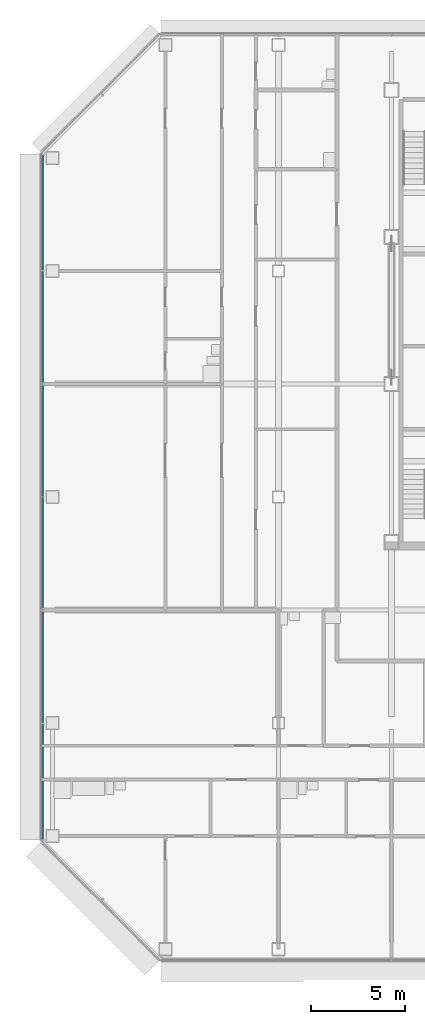
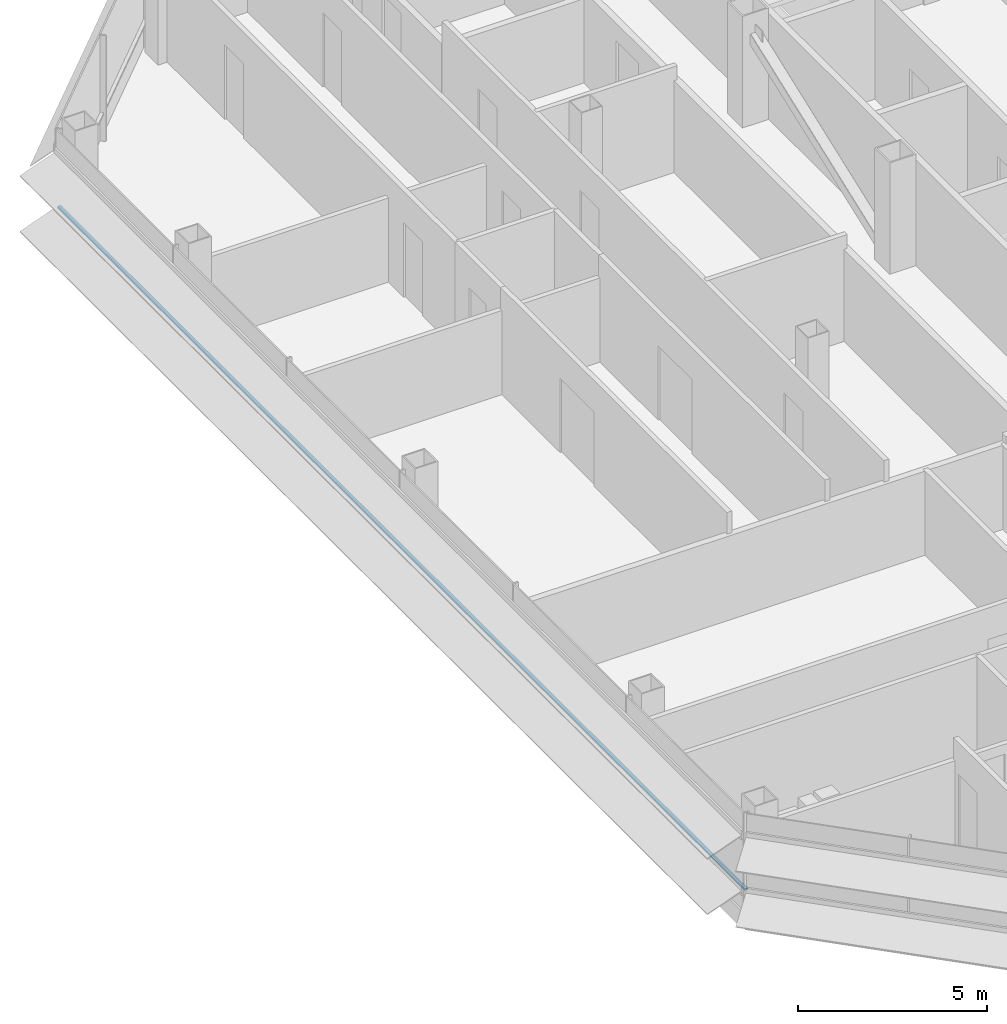
# One storey, part 5 of 27: 1 member, 1 element without a shape of its own.
"""IFC4 building model written with IfcOpenShell, lengths in metres."""

import ifcopenshell
import ifcopenshell.guid

model = None  # the IFC model being written
_history = None  # IfcOwnerHistory: only IFC2X3 demands one
_inside = {}  # id of a spatial element -> (the spatial element, [elements in it])
_under = {}  # id of a project, library or spatial element -> (it, [spatial elements below it])
_declared = {}  # id of a project -> (the project, [libraries it declares])
_typed = {}  # id of a type object -> (the type object, [elements of that type])
_made_of = {}  # id of a material, layer set ... -> (it, [elements and type objects made of it])


def new_model(schema):
    """Start an empty IFC model of exactly this schema.

    Asked for "IFC4X3", IfcOpenShell would pick the latest addendum, in which some entities
    have other attributes; the version numbers below select the first issue.
    IFC2X3 requires an IfcOwnerHistory on every rooted entity: one is made here for all.
    """
    global model, _history
    if schema == "IFC4X3":
        model = ifcopenshell.file(schema_version=(4, 3, 0, 0))
    else:
        model = ifcopenshell.file(schema=schema)
    _inside.clear()
    _under.clear()
    _declared.clear()
    _typed.clear()
    _made_of.clear()
    _history = None
    if model.schema == "IFC2X3":
        org = make("IfcOrganization", Name="unknown")
        user = make(
            "IfcPersonAndOrganization",
            ThePerson=make("IfcPerson", FamilyName="unknown"),
            TheOrganization=org,
        )
        app = make(
            "IfcApplication",
            ApplicationDeveloper=org,
            Version="unknown",
            ApplicationFullName="unknown",
            ApplicationIdentifier="unknown",
        )
        _history = make(
            "IfcOwnerHistory",
            OwningUser=user,
            OwningApplication=app,
            ChangeAction="ADDED",
            CreationDate=0,
        )
    return model


def make(cls, **values):
    """One entity of the class cls with the attributes given. An attribute that is None is left unset."""
    return model.create_entity(
        cls, **{name: value for name, value in values.items() if value is not None}
    )


def rooted(cls, **values):
    """An entity with a GlobalId (a new one), such as an element, a storey or a relation."""
    return make(cls, GlobalId=ifcopenshell.guid.new(), OwnerHistory=_history, **values)


def si_unit(unit_type, name, prefix=None):
    """IfcSIUnit, for example si_unit("LENGTHUNIT", "METRE", prefix="MILLI")."""
    return make("IfcSIUnit", UnitType=unit_type, Prefix=prefix, Name=name)


def assignment(units):
    """IfcUnitAssignment: the units of a project."""
    return None if units is None else make("IfcUnitAssignment", Units=units)


def point(xyz):
    """IfcCartesianPoint."""
    return None if xyz is None else make("IfcCartesianPoint", Coordinates=xyz)


def direction(xyz):
    """IfcDirection."""
    return None if xyz is None else make("IfcDirection", DirectionRatios=xyz)


def frame(location, z_axis=None, x_axis=None):
    """IfcAxis2Placement3D, a coordinate frame: its origin and axes. An axis left out is left unset."""
    return make(
        "IfcAxis2Placement3D",
        Location=point(location),
        Axis=direction(z_axis),
        RefDirection=direction(x_axis),
    )


def frame_2d(location, x_axis=None):
    """IfcAxis2Placement2D, a coordinate frame in the plane: its origin and x axis."""
    return make(
        "IfcAxis2Placement2D", Location=point(location), RefDirection=direction(x_axis)
    )


def origin():
    """The frame at (0, 0, 0) with its axes left unset."""
    return frame((0.0, 0.0, 0.0))


def origin_2d():
    """The frame at (0, 0) in the plane with its x axis left unset."""
    return frame_2d((0.0, 0.0))


def place(relative_to, where):
    """IfcLocalPlacement: puts the frame where relative to a parent placement (None: the world)."""
    return make(
        "IfcLocalPlacement", PlacementRelTo=relative_to, RelativePlacement=where
    )


def context(
    kind, dimensions, precision=None, world=None, true_north=None, identifier=None
):
    """IfcGeometricRepresentationContext, for example the 3D "Model" context."""
    return make(
        "IfcGeometricRepresentationContext",
        ContextIdentifier=identifier,
        ContextType=kind,
        CoordinateSpaceDimension=dimensions,
        Precision=precision,
        WorldCoordinateSystem=world,
        TrueNorth=true_north,
    )


def subcontext(parent, identifier, kind, view, scale=None):
    """IfcGeometricRepresentationSubContext, for example "Body" below "Model"."""
    return make(
        "IfcGeometricRepresentationSubContext",
        ContextIdentifier=identifier,
        ContextType=kind,
        ParentContext=parent,
        TargetScale=scale,
        TargetView=view,
    )


def project(units=None, contexts=None):
    """IfcProject with its units and contexts."""
    return rooted(
        "IfcProject",
        Name="project",
        RepresentationContexts=contexts,
        UnitsInContext=assignment(units),
    )


def spatial(cls, under=None, at=None, **own):
    """A site, building, storey or space (cls), placed at a placement, below another one or the project."""
    s = rooted(cls, ObjectPlacement=at, **own)
    if under is not None:
        _under.setdefault(under.id(), (under, []))[1].append(s)
    return s


def profile(cls, at=None, kind="AREA", **sizes):
    """A parametric profile (cls). Its sizes go by their IFC names, for example OverallWidth=200.0."""
    return make(cls, ProfileType=kind, Position=at, **sizes)


def rectangle(**sizes):
    """IfcRectangleProfileDef."""
    return profile("IfcRectangleProfileDef", **sizes)


def extrude(swept, where, along, depth):
    """IfcExtrudedAreaSolid: the profile swept, set in the frame where, extruded along a direction by depth."""
    return make(
        "IfcExtrudedAreaSolid",
        SweptArea=swept,
        Position=where,
        ExtrudedDirection=direction(along),
        Depth=depth,
    )


def shape(context_of_items, identifier, shape_type, items):
    """IfcShapeRepresentation: the items that make up one representation, for example the "Body"."""
    return make(
        "IfcShapeRepresentation",
        ContextOfItems=context_of_items,
        RepresentationIdentifier=identifier,
        RepresentationType=shape_type,
        Items=items,
    )


def material(Name=None, Category=None):
    """IfcMaterial."""
    return make("IfcMaterial", Name=Name, Category=Category)


def material_profile(
    of_material, cross_section, Name=None, Category=None, Priority=None
):
    """IfcMaterialProfile: a cross section and its material."""
    return make(
        "IfcMaterialProfile",
        Name=Name,
        Material=of_material,
        Profile=cross_section,
        Priority=Priority,
        Category=Category,
    )


def profile_set(profiles, Name=None, composite=None):
    """IfcMaterialProfileSet."""
    return make(
        "IfcMaterialProfileSet",
        Name=Name,
        MaterialProfiles=profiles,
        CompositeProfile=composite,
    )


def made_of(thing, what):
    """Note that an element or type object is made of a material, layer set ...; save() writes the relation."""
    if what is not None:
        _made_of.setdefault(what.id(), (what, []))[1].append(thing)
    return thing


def type_object(cls, material=None, **own):
    """A type object (cls), such as IfcWallType, which elements share."""
    return made_of(rooted(cls, **own), material)


def element(
    cls,
    number,
    at=None,
    inside=None,
    cuts=None,
    type_object=None,
    material=None,
    context=None,
    identifier="Body",
    shape_type=None,
    held_by="IfcProductDefinitionShape",
    body=None,
    shapes=None,
    **own,
):
    """One element of the class cls, such as IfcWall. Its Tag is "e" and its number.

    at: its placement. inside: the storey or other place that contains it. cuts: it is an
    opening in that element (IfcRelVoidsElement). A single representation is given by context,
    identifier, shape_type and body (its items); several are given by shapes. held_by: the class
    of the entity that holds the representations. save() writes the other relations.
    """
    e = rooted(cls, Tag="e%d" % number, ObjectPlacement=at, **own)
    if body is not None:
        shapes = [shape(context, identifier, shape_type, body)]
    if shapes is not None:
        e.Representation = make(held_by, Representations=shapes)
    if inside is not None:
        _inside.setdefault(inside.id(), (inside, []))[1].append(e)
    if cuts is not None:
        rooted(
            "IfcRelVoidsElement", RelatingBuildingElement=cuts, RelatedOpeningElement=e
        )
    if type_object is not None:
        _typed.setdefault(type_object.id(), (type_object, []))[1].append(e)
    return made_of(e, material)


def aggregate(whole, parts):
    """IfcRelAggregates: a whole, such as a stair, and the parts it consists of."""
    return rooted("IfcRelAggregates", RelatingObject=whole, RelatedObjects=parts)


def save(model, path):
    """Write the relations noted so far, then the file.

    IfcRelAggregates (storeys below a building ...), IfcRelContainedInSpatialStructure (elements
    in a storey), IfcRelDefinesByType, IfcRelAssociatesMaterial and IfcRelDeclares: one each for
    every whole, place, type object, material and project.
    """
    for whole, parts in _under.values():
        aggregate(whole, parts)
    for where, things in _inside.values():
        rooted(
            "IfcRelContainedInSpatialStructure",
            RelatedElements=things,
            RelatingStructure=where,
        )
    for kind, things in _typed.values():
        rooted("IfcRelDefinesByType", RelatedObjects=things, RelatingType=kind)
    for what, things in _made_of.values():
        rooted("IfcRelAssociatesMaterial", RelatedObjects=things, RelatingMaterial=what)
    for by, libraries in _declared.values():
        rooted("IfcRelDeclares", RelatingContext=by, RelatedDefinitions=libraries)
    model.write(path)


model = new_model("IFC4")

# Units and contexts
model_context = context("Model", 3, precision=1e-05, world=origin(), true_north=direction((0.0, 1.0)))
body_context = subcontext(model_context, "Body", "Model", "MODEL_VIEW")
ifc_project = project(units=[si_unit("LENGTHUNIT", "METRE"), si_unit("AREAUNIT", "SQUARE_METRE"), si_unit("VOLUMEUNIT", "CUBIC_METRE"), si_unit("PLANEANGLEUNIT", "RADIAN"), si_unit("MASSUNIT", "GRAM", prefix="KILO")], contexts=[model_context])

# Site, building, storey
site_placement = place(None, origin())
site = spatial("IfcSite", under=ifc_project, at=site_placement, CompositionType="ELEMENT")
building_placement = place(site_placement, origin())
building = spatial("IfcBuilding", under=site, at=building_placement, Name="Sorahane Residences", CompositionType="ELEMENT")
storey_placement = place(building_placement, frame((0.0, 0.0, 192.0)))
storey = spatial("IfcBuildingStorey", under=building, at=storey_placement, Name="L44", CompositionType="ELEMENT", Elevation=192.0)

# Curtain wall, member
ifc_material_1 = material(Name="Dark low-e glass and black anodised aluminium", Category="aluminium")
curtain_wall_type = type_object("IfcCurtainWallType", Name="Curtain wall CW-1 Typical unitised wall", PredefinedType="NOTDEFINED", material=ifc_material_1)
curtain_wall_placement = place(storey_placement, origin())
curtain_wall = element("IfcCurtainWall", 1, at=curtain_wall_placement, inside=storey, type_object=curtain_wall_type, Name="CW-1 curtain wall L44 W1", PredefinedType="NOTDEFINED")
ifc_material_2 = material(Name="Black anodised aluminium", Category="aluminium")
ifc_material_profile = material_profile(ifc_material_2, rectangle(XDim=0.10009765625, YDim=0.06005859375, at=origin_2d()), Name="Curtain wall transom CW-1 black anodised aluminium 60x100")
ifc_profile_set = profile_set([ifc_material_profile], Name="Black anodised aluminium")
member_type = type_object("IfcMemberType", Name="Curtain wall transom CW-1 black anodised aluminium 60x100", PredefinedType="USERDEFINED", material=ifc_profile_set)
member_placement = place(storey_placement, frame((-12.530029296875, 42.198486328125, 0.89990234375), z_axis=(0.0, -1.0, 0.0), x_axis=(1.0, 0.0, 0.0)))
member = element("IfcMember", 2, at=member_placement, type_object=member_type, Name="CW-1 transom L44 W1", ObjectType="TRANSOM", PredefinedType="USERDEFINED", context=body_context, shape_type="SweptSolid", body=[
    extrude(rectangle(XDim=0.10009765625, YDim=0.06005859375, at=origin_2d()), origin(), (0.0, 0.0, 1.0), 36.39697265625),
])
aggregate(curtain_wall, [member])

save(model, "model.ifc")
